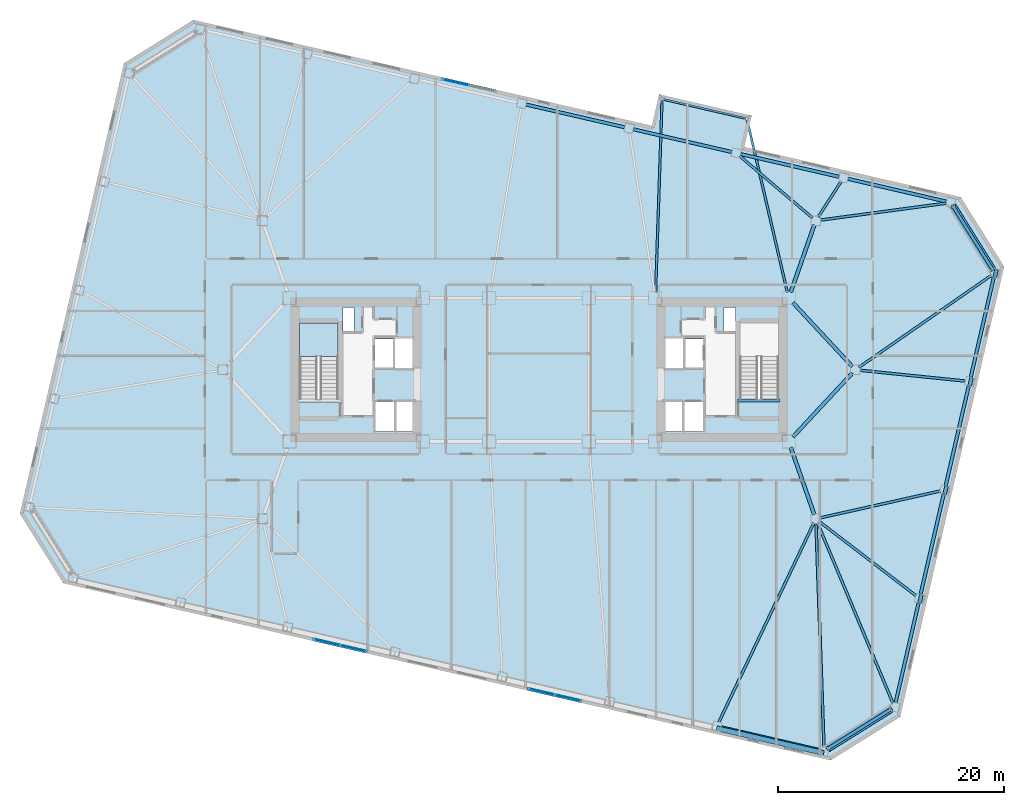
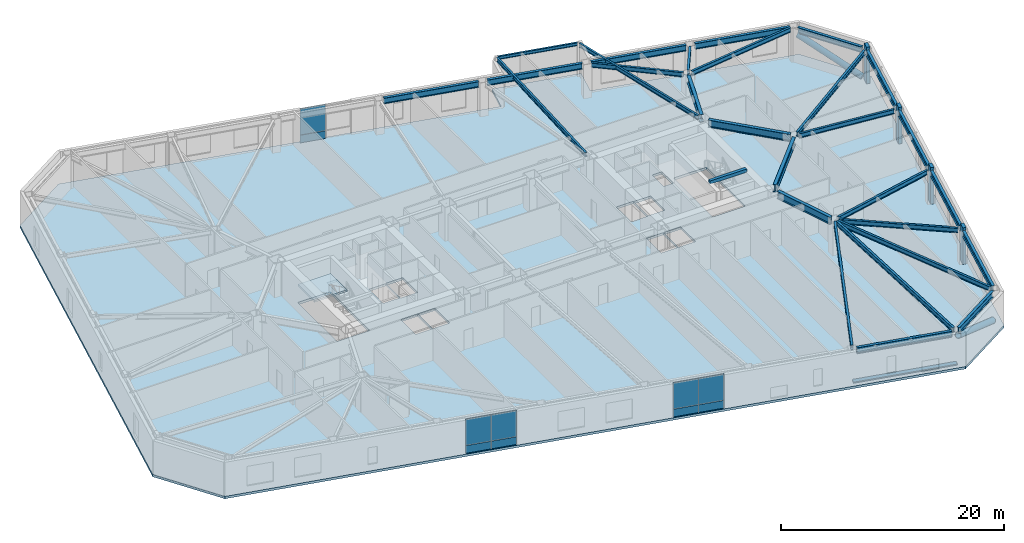
# One storey, part 9 of 21: 29 beams, 10 plates, 7 members, 2 slabs, 4 elements without a shape of their own.
"""IFC4 building model written with IfcOpenShell, lengths in metres."""

import ifcopenshell
import ifcopenshell.guid

model = None  # the IFC model being written
_history = None  # IfcOwnerHistory: only IFC2X3 demands one
_inside = {}  # id of a spatial element -> (the spatial element, [elements in it])
_under = {}  # id of a project, library or spatial element -> (it, [spatial elements below it])
_declared = {}  # id of a project -> (the project, [libraries it declares])
_typed = {}  # id of a type object -> (the type object, [elements of that type])
_made_of = {}  # id of a material, layer set ... -> (it, [elements and type objects made of it])


def new_model(schema):
    """Start an empty IFC model of exactly this schema.

    Asked for "IFC4X3", IfcOpenShell would pick the latest addendum, in which some entities
    have other attributes; the version numbers below select the first issue.
    IFC2X3 requires an IfcOwnerHistory on every rooted entity: one is made here for all.
    """
    global model, _history
    if schema == "IFC4X3":
        model = ifcopenshell.file(schema_version=(4, 3, 0, 0))
    else:
        model = ifcopenshell.file(schema=schema)
    _inside.clear()
    _under.clear()
    _declared.clear()
    _typed.clear()
    _made_of.clear()
    _history = None
    if model.schema == "IFC2X3":
        org = make("IfcOrganization", Name="unknown")
        user = make(
            "IfcPersonAndOrganization",
            ThePerson=make("IfcPerson", FamilyName="unknown"),
            TheOrganization=org,
        )
        app = make(
            "IfcApplication",
            ApplicationDeveloper=org,
            Version="unknown",
            ApplicationFullName="unknown",
            ApplicationIdentifier="unknown",
        )
        _history = make(
            "IfcOwnerHistory",
            OwningUser=user,
            OwningApplication=app,
            ChangeAction="ADDED",
            CreationDate=0,
        )
    return model


def make(cls, **values):
    """One entity of the class cls with the attributes given. An attribute that is None is left unset."""
    return model.create_entity(
        cls, **{name: value for name, value in values.items() if value is not None}
    )


def rooted(cls, **values):
    """An entity with a GlobalId (a new one), such as an element, a storey or a relation."""
    return make(cls, GlobalId=ifcopenshell.guid.new(), OwnerHistory=_history, **values)


def si_unit(unit_type, name, prefix=None):
    """IfcSIUnit, for example si_unit("LENGTHUNIT", "METRE", prefix="MILLI")."""
    return make("IfcSIUnit", UnitType=unit_type, Prefix=prefix, Name=name)


def assignment(units):
    """IfcUnitAssignment: the units of a project."""
    return None if units is None else make("IfcUnitAssignment", Units=units)


def point(xyz):
    """IfcCartesianPoint."""
    return None if xyz is None else make("IfcCartesianPoint", Coordinates=xyz)


def direction(xyz):
    """IfcDirection."""
    return None if xyz is None else make("IfcDirection", DirectionRatios=xyz)


def frame(location, z_axis=None, x_axis=None):
    """IfcAxis2Placement3D, a coordinate frame: its origin and axes. An axis left out is left unset."""
    return make(
        "IfcAxis2Placement3D",
        Location=point(location),
        Axis=direction(z_axis),
        RefDirection=direction(x_axis),
    )


def frame_2d(location, x_axis=None):
    """IfcAxis2Placement2D, a coordinate frame in the plane: its origin and x axis."""
    return make(
        "IfcAxis2Placement2D", Location=point(location), RefDirection=direction(x_axis)
    )


def origin():
    """The frame at (0, 0, 0) with its axes left unset."""
    return frame((0.0, 0.0, 0.0))


def origin_2d():
    """The frame at (0, 0) in the plane with its x axis left unset."""
    return frame_2d((0.0, 0.0))


def place(relative_to, where):
    """IfcLocalPlacement: puts the frame where relative to a parent placement (None: the world)."""
    return make(
        "IfcLocalPlacement", PlacementRelTo=relative_to, RelativePlacement=where
    )


def context(
    kind, dimensions, precision=None, world=None, true_north=None, identifier=None
):
    """IfcGeometricRepresentationContext, for example the 3D "Model" context."""
    return make(
        "IfcGeometricRepresentationContext",
        ContextIdentifier=identifier,
        ContextType=kind,
        CoordinateSpaceDimension=dimensions,
        Precision=precision,
        WorldCoordinateSystem=world,
        TrueNorth=true_north,
    )


def subcontext(parent, identifier, kind, view, scale=None):
    """IfcGeometricRepresentationSubContext, for example "Body" below "Model"."""
    return make(
        "IfcGeometricRepresentationSubContext",
        ContextIdentifier=identifier,
        ContextType=kind,
        ParentContext=parent,
        TargetScale=scale,
        TargetView=view,
    )


def project(units=None, contexts=None):
    """IfcProject with its units and contexts."""
    return rooted(
        "IfcProject",
        Name="project",
        RepresentationContexts=contexts,
        UnitsInContext=assignment(units),
    )


def spatial(cls, under=None, at=None, **own):
    """A site, building, storey or space (cls), placed at a placement, below another one or the project."""
    s = rooted(cls, ObjectPlacement=at, **own)
    if under is not None:
        _under.setdefault(under.id(), (under, []))[1].append(s)
    return s


def polyline(points):
    """IfcPolyline through the points."""
    return make("IfcPolyline", Points=[point(p) for p in points])


def profile(cls, at=None, kind="AREA", **sizes):
    """A parametric profile (cls). Its sizes go by their IFC names, for example OverallWidth=200.0."""
    return make(cls, ProfileType=kind, Position=at, **sizes)


def rectangle(**sizes):
    """IfcRectangleProfileDef."""
    return profile("IfcRectangleProfileDef", **sizes)


def hollow_circle(**sizes):
    """IfcCircleHollowProfileDef."""
    return profile("IfcCircleHollowProfileDef", **sizes)


def i_section(**sizes):
    """IfcIShapeProfileDef."""
    return profile("IfcIShapeProfileDef", **sizes)


def outline(outer, holes=None, kind="AREA"):
    """IfcArbitraryClosedProfileDef: a profile drawn as a closed curve; with holes, ...WithVoids."""
    if holes is None:
        return make("IfcArbitraryClosedProfileDef", ProfileType=kind, OuterCurve=outer)
    return make(
        "IfcArbitraryProfileDefWithVoids",
        ProfileType=kind,
        OuterCurve=outer,
        InnerCurves=holes,
    )


def extrude(swept, where, along, depth):
    """IfcExtrudedAreaSolid: the profile swept, set in the frame where, extruded along a direction by depth."""
    return make(
        "IfcExtrudedAreaSolid",
        SweptArea=swept,
        Position=where,
        ExtrudedDirection=direction(along),
        Depth=depth,
    )


def shape(context_of_items, identifier, shape_type, items):
    """IfcShapeRepresentation: the items that make up one representation, for example the "Body"."""
    return make(
        "IfcShapeRepresentation",
        ContextOfItems=context_of_items,
        RepresentationIdentifier=identifier,
        RepresentationType=shape_type,
        Items=items,
    )


def material(Name=None, Category=None):
    """IfcMaterial."""
    return make("IfcMaterial", Name=Name, Category=Category)


def layer(
    of_material, thickness, ventilated=None, Name=None, Category=None, Priority=None
):
    """IfcMaterialLayer: one layer of a wall or slab, of a material (None: an air gap)."""
    return make(
        "IfcMaterialLayer",
        Material=of_material,
        LayerThickness=thickness,
        IsVentilated=ventilated,
        Name=Name,
        Category=Category,
        Priority=Priority,
    )


def layer_set(layers, Name=None):
    """IfcMaterialLayerSet."""
    return make("IfcMaterialLayerSet", MaterialLayers=layers, LayerSetName=Name)


def material_profile(
    of_material, cross_section, Name=None, Category=None, Priority=None
):
    """IfcMaterialProfile: a cross section and its material."""
    return make(
        "IfcMaterialProfile",
        Name=Name,
        Material=of_material,
        Profile=cross_section,
        Priority=Priority,
        Category=Category,
    )


def profile_set(profiles, Name=None, composite=None):
    """IfcMaterialProfileSet."""
    return make(
        "IfcMaterialProfileSet",
        Name=Name,
        MaterialProfiles=profiles,
        CompositeProfile=composite,
    )


def made_of(thing, what):
    """Note that an element or type object is made of a material, layer set ...; save() writes the relation."""
    if what is not None:
        _made_of.setdefault(what.id(), (what, []))[1].append(thing)
    return thing


def type_object(cls, material=None, **own):
    """A type object (cls), such as IfcWallType, which elements share."""
    return made_of(rooted(cls, **own), material)


def element(
    cls,
    number,
    at=None,
    inside=None,
    cuts=None,
    type_object=None,
    material=None,
    context=None,
    identifier="Body",
    shape_type=None,
    held_by="IfcProductDefinitionShape",
    body=None,
    shapes=None,
    **own,
):
    """One element of the class cls, such as IfcWall. Its Tag is "e" and its number.

    at: its placement. inside: the storey or other place that contains it. cuts: it is an
    opening in that element (IfcRelVoidsElement). A single representation is given by context,
    identifier, shape_type and body (its items); several are given by shapes. held_by: the class
    of the entity that holds the representations. save() writes the other relations.
    """
    e = rooted(cls, Tag="e%d" % number, ObjectPlacement=at, **own)
    if body is not None:
        shapes = [shape(context, identifier, shape_type, body)]
    if shapes is not None:
        e.Representation = make(held_by, Representations=shapes)
    if inside is not None:
        _inside.setdefault(inside.id(), (inside, []))[1].append(e)
    if cuts is not None:
        rooted(
            "IfcRelVoidsElement", RelatingBuildingElement=cuts, RelatedOpeningElement=e
        )
    if type_object is not None:
        _typed.setdefault(type_object.id(), (type_object, []))[1].append(e)
    return made_of(e, material)


def aggregate(whole, parts):
    """IfcRelAggregates: a whole, such as a stair, and the parts it consists of."""
    return rooted("IfcRelAggregates", RelatingObject=whole, RelatedObjects=parts)


def save(model, path):
    """Write the relations noted so far, then the file.

    IfcRelAggregates (storeys below a building ...), IfcRelContainedInSpatialStructure (elements
    in a storey), IfcRelDefinesByType, IfcRelAssociatesMaterial and IfcRelDeclares: one each for
    every whole, place, type object, material and project.
    """
    for whole, parts in _under.values():
        aggregate(whole, parts)
    for where, things in _inside.values():
        rooted(
            "IfcRelContainedInSpatialStructure",
            RelatedElements=things,
            RelatingStructure=where,
        )
    for kind, things in _typed.values():
        rooted("IfcRelDefinesByType", RelatedObjects=things, RelatingType=kind)
    for what, things in _made_of.values():
        rooted("IfcRelAssociatesMaterial", RelatedObjects=things, RelatingMaterial=what)
    for by, libraries in _declared.values():
        rooted("IfcRelDeclares", RelatingContext=by, RelatedDefinitions=libraries)
    model.write(path)


model = new_model("IFC4")

# Units and contexts
model_context = context("Model", 3, precision=1e-05, world=origin(), true_north=direction((0.0, 1.0)))
body_context = subcontext(model_context, "Body", "Model", "MODEL_VIEW")
ifc_project = project(units=[si_unit("LENGTHUNIT", "METRE"), si_unit("AREAUNIT", "SQUARE_METRE"), si_unit("VOLUMEUNIT", "CUBIC_METRE"), si_unit("PLANEANGLEUNIT", "RADIAN"), si_unit("MASSUNIT", "GRAM", prefix="KILO")], contexts=[model_context])

# Site, building, storey
site_placement = place(None, origin())
site = spatial("IfcSite", under=ifc_project, at=site_placement, CompositionType="ELEMENT")
building_placement = place(site_placement, origin())
building = spatial("IfcBuilding", under=site, at=building_placement, Name="Tavrogorsk Clinical Tower", CompositionType="ELEMENT")
storey_placement = place(building_placement, frame((0.0, 0.0, 71.39990234375)))
storey = spatial("IfcBuildingStorey", under=building, at=storey_placement, Name="L15", CompositionType="ELEMENT", Elevation=71.39990234375)

# Members
ifc_material_1 = material(Name="Anodised aluminium alloy AW-6063", Category="aluminium")
ifc_material_profile_1 = material_profile(ifc_material_1, rectangle(XDim=0.449951171875, YDim=0.1201171875, at=origin_2d()), Name="ALU-SUNSHADE-450x120")
ifc_profile_set_1 = profile_set([ifc_material_profile_1], Name="Anodised aluminium alloy AW-6063")
member_type_1 = type_object("IfcMemberType", Name="ChicagoSunshade_450x120", PredefinedType="USERDEFINED", material=ifc_profile_set_1)
member_placement = place(storey_placement, frame((15.700439453125, -31.739013671875, 0.18017578125), z_axis=(0.97437219846, -0.224941812182, 0.0), x_axis=(0.224941812182, 0.97437219846, 0.0)))
element("IfcMember", 1, at=member_placement, inside=storey, type_object=member_type_1, Name="L15 South Aluminium Sunshade S7", ObjectType="SUNSHADE", PredefinedType="USERDEFINED", context=body_context, shape_type="SweptSolid", body=[
    extrude(rectangle(XDim=0.449951171875, YDim=0.1201171875, at=origin_2d()), origin(), (0.0, 0.0, 1.0), 9.74853515625),
])
ifc_material_2 = material(Name="Structural steel S440", Category="steel")
ifc_material_profile_2 = material_profile(ifc_material_2, hollow_circle(Radius=0.304931640625, WallThickness=0.02490234375, at=origin_2d()), Name="CHS-610x25")
ifc_profile_set_2 = profile_set([ifc_material_profile_2], Name="Structural steel S440")
member_type_2 = type_object("IfcMemberType", Name="ExoBrace_CHS610", PredefinedType="BRACE", material=ifc_profile_set_2)
for number, where, z_axis, x_axis, name in (
    (2, (31.15185546875, -30.062255859375, 0.442626953125), (-0.794678685861, -0.496570017703, 0.349147538667), (0.529919005048, -0.848048258113, 0.0), "L15 Corner Exoskeleton Brace S8-E1"),
    (3, (40.145751953125, 8.893798828125, 0.442626953125), (-0.496596175948, 0.794664984625, 0.349141518935), (-0.848031606927, -0.529945651603, 0.0), "L15 Corner Exoskeleton Brace E5-N1"),
):
    element("IfcMember", number, at=place(storey_placement, frame(where, z_axis=z_axis, x_axis=x_axis)), inside=storey, type_object=member_type_2, Name=name, PredefinedType="BRACE", context=body_context, shape_type="SweptSolid", body=[
        extrude(hollow_circle(Radius=0.304931640625, WallThickness=0.02490234375, at=origin_2d()), origin(), (0.0, 0.0, 1.0), 7.03173828125),
    ])

# Beams
ifc_material_3 = material(Name="Structural steel S355", Category="steel")
ifc_material_profile_3 = material_profile(ifc_material_3, i_section(OverallWidth=0.199951171875, OverallDepth=0.449951171875, WebThickness=0.011474609375, FlangeThickness=0.01806640625, at=origin_2d()), Name="B-450x200x11.5x18")
ifc_profile_set_3 = profile_set([ifc_material_profile_3], Name="Structural steel S355")
beam_type_1 = type_object("IfcBeamType", Name="FloorBeam_B450", PredefinedType="BEAM", material=ifc_profile_set_3)
beam_1_placement = place(storey_placement, frame((10.318603515625, 6.90966796875, 3.51513671875), z_axis=(0.033352279272, 0.999443657975, 0.0), x_axis=(-0.999443657975, 0.033352279272, 0.0)))
element("IfcBeam", 4, at=beam_1_placement, inside=storey, type_object=beam_type_1, Name="L15 Day-Room Cantilever Beam DRB-02-L", PredefinedType="BEAM", context=body_context, shape_type="SweptSolid", body=[
    extrude(i_section(OverallWidth=0.199951171875, OverallDepth=0.449951171875, WebThickness=0.011474609375, FlangeThickness=0.01806640625, at=origin_2d()), origin(), (0.0, 0.0, 1.0), 16.931396484375),
])
beam_2_placement = place(storey_placement, frame((21.97265625, 6.895263671875, 3.51513671875), z_axis=(-0.227339821684, 0.973815488415, 0.0), x_axis=(-0.973815488415, -0.227339821684, 0.0)))
element("IfcBeam", 5, at=beam_2_placement, inside=storey, type_object=beam_type_1, Name="L15 Day-Room Cantilever Beam DRB-02-R", PredefinedType="BEAM", context=body_context, shape_type="SweptSolid", body=[
    extrude(i_section(OverallWidth=0.199951171875, OverallDepth=0.449951171875, WebThickness=0.011474609375, FlangeThickness=0.01806640625, at=origin_2d()), origin(), (0.0, 0.0, 1.0), 15.61669921875),
])
ifc_material_4 = material(Name="Structural steel S355", Category="steel")
ifc_material_profile_4 = material_profile(ifc_material_4, i_section(OverallWidth=0.219970703125, OverallDepth=0.5, WebThickness=0.012939453125, FlangeThickness=0.02001953125, at=origin_2d()), Name="B-500x220x13x20")
ifc_profile_set_4 = profile_set([ifc_material_profile_4], Name="Structural steel S355")
beam_type_2 = type_object("IfcBeamType", Name="FloorBeam_B500", PredefinedType="BEAM", material=ifc_profile_set_4)
beam_3_placement = place(storey_placement, frame((24.323486328125, -13.570068359375, 3.489990234375), z_axis=(-0.430503237889, -0.90258903282, 0.0), x_axis=(0.90258903282, -0.430503237889, 0.0)))
element("IfcBeam", 6, at=beam_3_placement, inside=storey, type_object=beam_type_2, Name="L15 Radial Floor Beam S7", PredefinedType="BEAM", context=body_context, shape_type="SweptSolid", body=[
    extrude(i_section(OverallWidth=0.219970703125, OverallDepth=0.5, WebThickness=0.012939453125, FlangeThickness=0.02001953125, at=origin_2d()), origin(), (0.0, 0.0, 1.0), 19.527587890625),
])
beam_4_placement = place(storey_placement, frame((24.5146484375, -13.609619140625, 3.489990234375), z_axis=(0.035968399295, -0.999352927775, 0.0), x_axis=(0.999352927775, 0.035968399295, 0.0)))
element("IfcBeam", 7, at=beam_4_placement, inside=storey, type_object=beam_type_2, Name="L15 Radial Floor Beam S8", PredefinedType="BEAM", context=body_context, shape_type="SweptSolid", body=[
    extrude(i_section(OverallWidth=0.219970703125, OverallDepth=0.5, WebThickness=0.012939453125, FlangeThickness=0.02001953125, at=origin_2d()), origin(), (0.0, 0.0, 1.0), 19.751953125),
])
beam_5_placement = place(storey_placement, frame((24.90625, 13.254638671875, 3.489990234375), z_axis=(0.991091561022, 0.133182272357, 0.0), x_axis=(-0.133182272357, 0.991091561022, 0.0)))
element("IfcBeam", 8, at=beam_5_placement, inside=storey, type_object=beam_type_2, Name="L15 Radial Floor Beam N1", PredefinedType="BEAM", context=body_context, shape_type="SweptSolid", body=[
    extrude(i_section(OverallWidth=0.219970703125, OverallDepth=0.5, WebThickness=0.012939453125, FlangeThickness=0.02001953125, at=origin_2d()), origin(), (0.0, 0.0, 1.0), 11.24072265625),
])
beam_6_placement = place(storey_placement, frame((24.722412109375, 13.54443359375, 3.489990234375), z_axis=(0.54237908978, 0.840133872052, 0.0), x_axis=(-0.840133872052, 0.54237908978, 0.0)))
element("IfcBeam", 9, at=beam_6_placement, inside=storey, type_object=beam_type_2, Name="L15 Radial Floor Beam N2", PredefinedType="BEAM", context=body_context, shape_type="SweptSolid", body=[
    extrude(i_section(OverallWidth=0.219970703125, OverallDepth=0.5, WebThickness=0.012939453125, FlangeThickness=0.02001953125, at=origin_2d()), origin(), (0.0, 0.0, 1.0), 3.70361328125),
])
beam_7_placement = place(storey_placement, frame((24.187744140625, 13.465576171875, 3.489990234375), z_axis=(-0.761805700094, 0.647805584496, 0.0), x_axis=(-0.647805584496, -0.761805700094, 0.0)))
element("IfcBeam", 10, at=beam_7_placement, inside=storey, type_object=beam_type_2, Name="L15 Radial Floor Beam N3", PredefinedType="BEAM", context=body_context, shape_type="SweptSolid", body=[
    extrude(i_section(OverallWidth=0.219970703125, OverallDepth=0.5, WebThickness=0.012939453125, FlangeThickness=0.02001953125, at=origin_2d()), origin(), (0.0, 0.0, 1.0), 8.431396484375),
])
beam_8_placement = place(storey_placement, frame((24.658447265625, -13.578125, 3.489990234375), z_axis=(0.386243430459, -0.922396884441, 0.0), x_axis=(0.922396884441, 0.386243430459, 0.0)))
element("IfcBeam", 11, at=beam_8_placement, inside=storey, type_object=beam_type_2, Name="L15 Radial Floor Beam E1", PredefinedType="BEAM", context=body_context, shape_type="SweptSolid", body=[
    extrude(i_section(OverallWidth=0.219970703125, OverallDepth=0.5, WebThickness=0.012939453125, FlangeThickness=0.02001953125, at=origin_2d()), origin(), (0.0, 0.0, 1.0), 17.243408203125),
])
beam_9_placement = place(storey_placement, frame((24.825439453125, -13.449462890625, 3.489990234375), z_axis=(0.7934457884, -0.608640929342, 0.0), x_axis=(0.608640929342, 0.7934457884, 0.0)))
element("IfcBeam", 12, at=beam_9_placement, inside=storey, type_object=beam_type_2, Name="L15 Radial Floor Beam E2", PredefinedType="BEAM", context=body_context, shape_type="SweptSolid", body=[
    extrude(i_section(OverallWidth=0.219970703125, OverallDepth=0.5, WebThickness=0.012939453125, FlangeThickness=0.02001953125, at=origin_2d()), origin(), (0.0, 0.0, 1.0), 10.769287109375),
])
beam_10_placement = place(storey_placement, frame((24.900146484375, -13.1103515625, 3.489990234375), z_axis=(0.975844140255, 0.218467878484, 0.0), x_axis=(-0.218467878484, 0.975844140255, 0.0)))
element("IfcBeam", 13, at=beam_10_placement, inside=storey, type_object=beam_type_2, Name="L15 Radial Floor Beam E3", PredefinedType="BEAM", context=body_context, shape_type="SweptSolid", body=[
    extrude(i_section(OverallWidth=0.219970703125, OverallDepth=0.5, WebThickness=0.012939453125, FlangeThickness=0.02001953125, at=origin_2d()), origin(), (0.0, 0.0, 1.0), 10.876708984375),
])
beam_11_placement = place(storey_placement, frame((28.407958984375, -0.041748046875, 3.489990234375), z_axis=(0.994791610226, -0.101929643501, 0.0), x_axis=(0.101929643501, 0.994791610226, 0.0)))
element("IfcBeam", 14, at=beam_11_placement, inside=storey, type_object=beam_type_2, Name="L15 Radial Floor Beam E4", PredefinedType="BEAM", context=body_context, shape_type="SweptSolid", body=[
    extrude(i_section(OverallWidth=0.219970703125, OverallDepth=0.5, WebThickness=0.012939453125, FlangeThickness=0.02001953125, at=origin_2d()), origin(), (0.0, 0.0, 1.0), 9.365234375),
])
beam_12_placement = place(storey_placement, frame((28.3369140625, 0.233642578125, 3.489990234375), z_axis=(0.82154295725, 0.570146620961, 0.0), x_axis=(-0.570146620961, 0.82154295725, 0.0)))
element("IfcBeam", 15, at=beam_12_placement, inside=storey, type_object=beam_type_2, Name="L15 Radial Floor Beam E5", PredefinedType="BEAM", context=body_context, shape_type="SweptSolid", body=[
    extrude(i_section(OverallWidth=0.219970703125, OverallDepth=0.5, WebThickness=0.012939453125, FlangeThickness=0.02001953125, at=origin_2d()), origin(), (0.0, 0.0, 1.0), 14.212646484375),
])

# Members
ifc_material_5 = material(Name="Precast concrete B45 with limestone cladding", Category="masonry")
ifc_material_profile_5 = material_profile(ifc_material_5, rectangle(XDim=0.320068359375, YDim=0.719970703125, at=origin_2d()), Name="LIMESTONE-FIN-320x720")
ifc_profile_set_5 = profile_set([ifc_material_profile_5], Name="Precast concrete B45 with limestone cladding")
member_type_3 = type_object("IfcMemberType", Name="LimestonePleatFin_320x720", PredefinedType="USERDEFINED", material=ifc_profile_set_5)
for number, where, z_axis, x_axis, name in (
    (16, (33.772216796875, -20.2705078125, 0.0), (0.0, 0.0, 1.0), (0.974370064785, -0.224951054344, 0.0), "L15 E Pleated Stone Fin 1"),
    (17, (35.990234375, -10.6630859375, 0.0), (0.0, 0.0, 1.0), (0.974370064785, -0.224951054344, 0.0), "L15 E Pleated Stone Fin 2"),
    (18, (38.208251953125, -1.055908203125, 0.0), (0.0, 0.0, 1.0), (0.974370064785, -0.224951054344, 0.0), "L15 E Pleated Stone Fin 3"),
    (19, (40.42626953125, 8.551513671875, 0.0), (0.0, 0.0, 1.0), (0.974370064785, -0.224951054344, 0.0), "L15 E Pleated Stone Fin 4"),
):
    element("IfcMember", number, at=place(storey_placement, frame(where, z_axis=z_axis, x_axis=x_axis)), inside=storey, type_object=member_type_3, Name=name, ObjectType="FIN", PredefinedType="USERDEFINED", context=body_context, shape_type="SweptSolid", body=[
        extrude(rectangle(XDim=0.320068359375, YDim=0.719970703125, at=origin_2d()), origin(), (0.0, 0.0, 1.0), 4.0),
    ])

# Beams
ifc_material_6 = material(Name="Structural steel S390", Category="steel")
ifc_material_profile_6 = material_profile(ifc_material_6, i_section(OverallWidth=0.320068359375, OverallDepth=0.800048828125, WebThickness=0.02001953125, FlangeThickness=0.033935546875, at=origin_2d()), Name="B-800x320x20x34")
ifc_profile_set_6 = profile_set([ifc_material_profile_6], Name="Structural steel S390")
beam_type_3 = type_object("IfcBeamType", Name="PrimaryGirder_B800", PredefinedType="USERDEFINED", material=ifc_profile_set_6)
for number, where, z_axis, x_axis, name in (
    (20, (24.364501953125, -12.81298828125, 3.340087890625), (-0.330668611543, 0.943746930771, 0.0), (-0.943746930771, -0.330668611543, 0.0), "L15 Spine Link Girder OPG-2"),
    (21, (24.364501953125, 12.81298828125, 3.340087890625), (-0.330668611543, -0.943746930771, 0.0), (0.943746930771, -0.330668611543, 0.0), "L15 Spine Link Girder OPG-4"),
):
    element("IfcBeam", number, at=place(storey_placement, frame(where, z_axis=z_axis, x_axis=x_axis)), inside=storey, type_object=beam_type_3, Name=name, ObjectType="GIRDER", PredefinedType="USERDEFINED", context=body_context, shape_type="SweptSolid", body=[
        extrude(i_section(OverallWidth=0.320068359375, OverallDepth=0.800048828125, WebThickness=0.02001953125, FlangeThickness=0.033935546875, at=origin_2d()), origin(), (0.0, 0.0, 1.0), 6.288330078125),
    ])
for number, where, z_axis, x_axis, name in (
    (22, (27.720947265625, -0.30029296875, 3.340087890625), (-0.680671250221, -0.732589004233, 0.0), (0.732589004233, -0.680671250221, 0.0), "L15 Spine Link Girder OPG-7"),
    (23, (27.720947265625, 0.30029296875, 3.340087890625), (-0.680671250221, 0.732589004233, 0.0), (-0.732589004233, -0.680671250221, 0.0), "L15 Spine Link Girder OPG-8"),
):
    element("IfcBeam", number, at=place(storey_placement, frame(where, z_axis=z_axis, x_axis=x_axis)), inside=storey, type_object=beam_type_3, Name=name, ObjectType="GIRDER", PredefinedType="USERDEFINED", context=body_context, shape_type="SweptSolid", body=[
        extrude(i_section(OverallWidth=0.320068359375, OverallDepth=0.800048828125, WebThickness=0.02001953125, FlangeThickness=0.033935546875, at=origin_2d()), origin(), (0.0, 0.0, 1.0), 7.697998046875),
    ])
ifc_material_7 = material(Name="Structural steel S355", Category="steel")
ifc_material_profile_7 = material_profile(ifc_material_7, i_section(OverallWidth=0.175048828125, OverallDepth=0.35009765625, WebThickness=0.009521484375, FlangeThickness=0.013916015625, at=origin_2d()), Name="B-350x175x9.5x14")
ifc_profile_set_7 = profile_set([ifc_material_profile_7], Name="Structural steel S355")
beam_type_4 = type_object("IfcBeamType", Name="SecondaryJoist_B350", PredefinedType="JOIST", material=ifc_profile_set_7)
beam_13_placement = place(storey_placement, frame((11.0048828125, 23.9443359375, 3.565185546875), z_axis=(0.974374645804, -0.224931210849, 0.0), x_axis=(0.224931210849, 0.974374645804, 0.0)))
element("IfcBeam", 24, at=beam_13_placement, inside=storey, type_object=beam_type_4, Name="L15 Day-Room Front Edge Beam DRB-02", PredefinedType="JOIST", context=body_context, shape_type="SweptSolid", body=[
    extrude(i_section(OverallWidth=0.175048828125, OverallDepth=0.35009765625, WebThickness=0.009521484375, FlangeThickness=0.013916015625, at=origin_2d()), origin(), (0.0, 0.0, 1.0), 7.4599609375),
])
ifc_material_8 = material(Name="Structural steel S390", Category="steel")
ifc_material_profile_8 = material_profile(ifc_material_8, i_section(OverallWidth=0.280029296875, OverallDepth=0.64990234375, WebThickness=0.01611328125, FlangeThickness=0.02490234375, at=origin_2d()), Name="B-650x280x16x25")
ifc_profile_set_8 = profile_set([ifc_material_profile_8], Name="Structural steel S390")
beam_type_5 = type_object("IfcBeamType", Name="SpandrelBeam_B650", PredefinedType="SPANDREL", material=ifc_profile_set_8)
beam_14_placement = place(storey_placement, frame((16.138427734375, -31.655517578125, 3.4150390625), z_axis=(0.974372766602, -0.224939351168, 0.0), x_axis=(0.224939351168, 0.974372766602, 0.0)))
element("IfcBeam", 25, at=beam_14_placement, inside=storey, type_object=beam_type_5, Name="L15 Perimeter Spandrel S7-S8", PredefinedType="SPANDREL", context=body_context, shape_type="SweptSolid", body=[
    extrude(i_section(OverallWidth=0.280029296875, OverallDepth=0.64990234375, WebThickness=0.01611328125, FlangeThickness=0.02490234375, at=origin_2d()), origin(), (0.0, 0.0, 1.0), 8.9326171875),
])
beam_15_placement = place(storey_placement, frame((25.585693359375, -33.540283203125, 3.4150390625), z_axis=(0.848061235793, 0.529898235839, 0.0), x_axis=(-0.529898235839, 0.848061235793, 0.0)))
element("IfcBeam", 26, at=beam_15_placement, inside=storey, type_object=beam_type_5, Name="L15 Perimeter Spandrel S8-E1", PredefinedType="SPANDREL", context=body_context, shape_type="SweptSolid", body=[
    extrude(i_section(OverallWidth=0.280029296875, OverallDepth=0.64990234375, WebThickness=0.01611328125, FlangeThickness=0.02490234375, at=origin_2d()), origin(), (0.0, 0.0, 1.0), 6.537841796875),
])
beam_16_placement = place(storey_placement, frame((31.56787109375, -29.462158203125, 3.4150390625), z_axis=(0.224971881043, 0.974365256328, 0.0), x_axis=(-0.974365256328, 0.224971881043, 0.0)))
element("IfcBeam", 27, at=beam_16_placement, inside=storey, type_object=beam_type_5, Name="L15 Perimeter Spandrel E1-E2", PredefinedType="SPANDREL", context=body_context, shape_type="SweptSolid", body=[
    extrude(i_section(OverallWidth=0.280029296875, OverallDepth=0.64990234375, WebThickness=0.01611328125, FlangeThickness=0.02490234375, at=origin_2d()), origin(), (0.0, 0.0, 1.0), 9.044189453125),
])
for number, where, z_axis, x_axis, name in (
    (28, (33.785888671875, -19.85498046875, 3.4150390625), (0.224946252597, 0.974371173343, 0.0), (-0.974371173343, 0.224946252597, 0.0), "L15 Perimeter Spandrel E2-E3"),
    (29, (36.00390625, -10.24755859375, 3.4150390625), (0.224946252597, 0.974371173343, 0.0), (-0.974371173343, 0.224946252597, 0.0), "L15 Perimeter Spandrel E3-E4"),
):
    element("IfcBeam", number, at=place(storey_placement, frame(where, z_axis=z_axis, x_axis=x_axis)), inside=storey, type_object=beam_type_5, Name=name, PredefinedType="SPANDREL", context=body_context, shape_type="SweptSolid", body=[
        extrude(i_section(OverallWidth=0.280029296875, OverallDepth=0.64990234375, WebThickness=0.01611328125, FlangeThickness=0.02490234375, at=origin_2d()), origin(), (0.0, 0.0, 1.0), 9.0439453125),
    ])
beam_17_placement = place(storey_placement, frame((38.221923828125, -0.640380859375, 3.4150390625), z_axis=(0.224971881043, 0.974365256328, 0.0), x_axis=(-0.974365256328, 0.224971881043, 0.0)))
element("IfcBeam", 30, at=beam_17_placement, inside=storey, type_object=beam_type_5, Name="L15 Perimeter Spandrel E4-E5", PredefinedType="SPANDREL", context=body_context, shape_type="SweptSolid", body=[
    extrude(i_section(OverallWidth=0.280029296875, OverallDepth=0.64990234375, WebThickness=0.01611328125, FlangeThickness=0.02490234375, at=origin_2d()), origin(), (0.0, 0.0, 1.0), 9.044189453125),
])
beam_18_placement = place(storey_placement, frame((40.132080078125, 8.91552734375, 3.4150390625), z_axis=(-0.529925092475, 0.848044454239, 0.0), x_axis=(-0.848044454239, -0.529925092475, 0.0)))
element("IfcBeam", 31, at=beam_18_placement, inside=storey, type_object=beam_type_5, Name="L15 Perimeter Spandrel E5-N1", PredefinedType="SPANDREL", context=body_context, shape_type="SweptSolid", body=[
    extrude(i_section(OverallWidth=0.280029296875, OverallDepth=0.64990234375, WebThickness=0.01611328125, FlangeThickness=0.02490234375, at=origin_2d()), origin(), (0.0, 0.0, 1.0), 6.537841796875),
])
for number, where, z_axis, x_axis, name in (
    (32, (36.0537109375, 14.897705078125, 3.4150390625), (-0.974366775889, 0.224965299645, 0.0), (-0.224965299645, -0.974366775889, 0.0), "L15 Perimeter Spandrel N1-N2"),
    (33, (26.554931640625, 17.090576171875, 3.4150390625), (-0.974366775889, 0.224965299645, 0.0), (-0.224965299645, -0.974366775889, 0.0), "L15 Perimeter Spandrel N2-N3"),
    (34, (17.056396484375, 19.28369140625, 3.4150390625), (-0.974372766602, 0.224939351168, 0.0), (-0.224939351168, -0.974372766602, 0.0), "L15 Perimeter Spandrel N3-N4"),
    (35, (7.5576171875, 21.4765625, 3.4150390625), (-0.974366775889, 0.224965299645, 0.0), (-0.224965299645, -0.974366775889, 0.0), "L15 Perimeter Spandrel N4-N5"),
):
    element("IfcBeam", number, at=place(storey_placement, frame(where, z_axis=z_axis, x_axis=x_axis)), inside=storey, type_object=beam_type_5, Name=name, PredefinedType="SPANDREL", context=body_context, shape_type="SweptSolid", body=[
        extrude(i_section(OverallWidth=0.280029296875, OverallDepth=0.64990234375, WebThickness=0.01611328125, FlangeThickness=0.02490234375, at=origin_2d()), origin(), (0.0, 0.0, 1.0), 8.9326171875),
    ])
ifc_material_9 = material(Name="Concrete B60", Category="concrete")
ifc_material_profile_9 = material_profile(ifc_material_9, rectangle(XDim=0.300048828125, YDim=0.35009765625, at=origin_2d()), Name="RC-SHB-300x350")
ifc_profile_set_9 = profile_set([ifc_material_profile_9], Name="Concrete B60")
beam_type_6 = type_object("IfcBeamType", Name="StairHeaderBeam_RC300x350", PredefinedType="BEAM", material=ifc_profile_set_9)
beam_19_placement = place(storey_placement, frame((17.550048828125, -2.719970703125, 3.8251953125), z_axis=(1.0, 0.0, 0.0), x_axis=(0.0, 1.0, 0.0)))
element("IfcBeam", 36, at=beam_19_placement, inside=storey, type_object=beam_type_6, Name="L16 ST-E Landing Header Beam", PredefinedType="BEAM", context=body_context, shape_type="SweptSolid", body=[
    extrude(rectangle(XDim=0.300048828125, YDim=0.35009765625, at=origin_2d()), origin(), (0.0, 0.0, 1.0), 3.800048828125),
])

# Curtain wall, plates
ifc_material_10 = material(Name="Anodised aluminium and triple IGU glazing", Category="aluminium")
ifc_layer_1 = layer(ifc_material_10, 0.179931640625)
ifc_layer_set_1 = layer_set([ifc_layer_1], Name="Anodised aluminium and triple IGU glazing")
curtain_wall_type_1 = type_object("IfcCurtainWallType", Name="CW3_SouthSlot", PredefinedType="NOTDEFINED", material=ifc_layer_set_1)
curtain_wall_1_placement = place(storey_placement, origin())
curtain_wall_1 = element("IfcCurtainWall", 37, at=curtain_wall_1_placement, inside=storey, type_object=curtain_wall_type_1, Name="L15 Curtain Wall CW-L15-S-SLOT-1", PredefinedType="NOTDEFINED")
ifc_material_11 = material(Name="Honed Podolsk limestone spandrel panel", Category="masonry")
ifc_layer_2 = layer(ifc_material_11, 0.080078125)
ifc_layer_set_2 = layer_set([ifc_layer_2], Name="Honed Podolsk limestone spandrel panel")
plate_type_1 = type_object("IfcPlateType", Name="CwSpandrelStonePanel_80", PredefinedType="CURTAIN_PANEL", material=ifc_layer_set_2)
plate_1_placement = place(storey_placement, frame((-18.79638671875, -24.113525390625, 0.002197265625), z_axis=(0.0, 0.0, 1.0), x_axis=(0.974370046851, -0.224951132027, 0.0)))
plate_1 = element("IfcPlate", 38, at=plate_1_placement, type_object=plate_type_1, Name="CW-L15-S-SLOT-1 Stone Spandrel Panel 1", PredefinedType="CURTAIN_PANEL", context=body_context, shape_type="SweptSolid", body=[
    extrude(rectangle(XDim=2.39208984375, YDim=0.080078125, at=origin_2d()), origin(), (0.0, 0.0, 1.0), 0.8359375),
])
plate_2_placement = place(storey_placement, frame((-16.442138671875, -24.656982421875, 0.002197265625), z_axis=(0.0, 0.0, 1.0), x_axis=(0.974370046851, -0.224951132027, 0.0)))
plate_2 = element("IfcPlate", 39, at=plate_2_placement, type_object=plate_type_1, Name="CW-L15-S-SLOT-1 Stone Spandrel Panel 2", PredefinedType="CURTAIN_PANEL", context=body_context, shape_type="SweptSolid", body=[
    extrude(rectangle(XDim=2.39208984375, YDim=0.080078125, at=origin_2d()), origin(), (0.0, 0.0, 1.0), 0.8359375),
])

curtain_wall_2_placement = place(storey_placement, origin())
curtain_wall_2 = element("IfcCurtainWall", 40, at=curtain_wall_2_placement, inside=storey, type_object=curtain_wall_type_1, Name="L15 Curtain Wall CW-L15-S-SLOT-2", PredefinedType="NOTDEFINED")
plate_3_placement = place(storey_placement, frame((0.201171875, -28.49951171875, 0.002197265625), z_axis=(0.0, 0.0, 1.0), x_axis=(0.974370102963, -0.224950888978, 0.0)))
plate_3 = element("IfcPlate", 41, at=plate_3_placement, type_object=plate_type_1, Name="CW-L15-S-SLOT-2 Stone Spandrel Panel 1", PredefinedType="CURTAIN_PANEL", context=body_context, shape_type="SweptSolid", body=[
    extrude(rectangle(XDim=2.39208984375, YDim=0.080078125, at=origin_2d()), origin(), (0.0, 0.0, 1.0), 0.8359375),
])
plate_4_placement = place(storey_placement, frame((2.55517578125, -29.04296875, 0.002197265625), z_axis=(0.0, 0.0, 1.0), x_axis=(0.974370102963, -0.224950888978, 0.0)))
plate_4 = element("IfcPlate", 42, at=plate_4_placement, type_object=plate_type_1, Name="CW-L15-S-SLOT-2 Stone Spandrel Panel 2", PredefinedType="CURTAIN_PANEL", context=body_context, shape_type="SweptSolid", body=[
    extrude(rectangle(XDim=2.39208984375, YDim=0.080078125, at=origin_2d()), origin(), (0.0, 0.0, 1.0), 0.8359375),
])

# Curtain wall, plate
ifc_material_12 = material(Name="Anodised aluminium and triple IGU glazing", Category="aluminium")
ifc_layer_3 = layer(ifc_material_12, 0.179931640625)
ifc_layer_set_3 = layer_set([ifc_layer_3], Name="Anodised aluminium and triple IGU glazing")
curtain_wall_type_2 = type_object("IfcCurtainWallType", Name="CW2_NorthSlot", PredefinedType="NOTDEFINED", material=ifc_layer_set_3)
curtain_wall_3_placement = place(storey_placement, origin())
curtain_wall_3 = element("IfcCurtainWall", 43, at=curtain_wall_3_placement, inside=storey, type_object=curtain_wall_type_2, Name="L15 Curtain Wall CW-L15-N-SLOT-1", PredefinedType="NOTDEFINED")
plate_5_placement = place(storey_placement, frame((-7.355224609375, 25.44287109375, 0.002197265625), z_axis=(0.0, 0.0, 1.0), x_axis=(-0.974370102963, 0.224950888978, 0.0)))
plate_5 = element("IfcPlate", 44, at=plate_5_placement, type_object=plate_type_1, Name="CW-L15-N-SLOT-1 Stone Spandrel Panel 2", PredefinedType="CURTAIN_PANEL", context=body_context, shape_type="SweptSolid", body=[
    extrude(rectangle(XDim=2.39208984375, YDim=0.080078125, at=origin_2d()), origin(), (0.0, 0.0, 1.0), 0.8359375),
])

# Plate
ifc_material_13 = material(Name="Triple low-E argon insulated glass", Category="glass")
ifc_layer_4 = layer(ifc_material_13, 0.048095703125)
ifc_layer_set_4 = layer_set([ifc_layer_4], Name="Triple low-E argon insulated glass")
plate_type_2 = type_object("IfcPlateType", Name="CwVisionGlassPanel_48", PredefinedType="CURTAIN_PANEL", material=ifc_layer_set_4)
plate_6_placement = place(storey_placement, frame((-18.79638671875, -24.113525390625, 0.862060546875), z_axis=(0.0, 0.0, 1.0), x_axis=(0.974370046851, -0.224951132027, 0.0)))
plate_6 = element("IfcPlate", 45, at=plate_6_placement, type_object=plate_type_2, Name="CW-L15-S-SLOT-1 Glazing Panel 1", PredefinedType="CURTAIN_PANEL", context=body_context, shape_type="SweptSolid", body=[
    extrude(rectangle(XDim=2.39208984375, YDim=0.048095703125, at=origin_2d()), origin(), (0.0, 0.0, 1.0), 2.8759765625),
])

plate_7_placement = place(storey_placement, frame((-16.442138671875, -24.656982421875, 0.862060546875), z_axis=(0.0, 0.0, 1.0), x_axis=(0.974370046851, -0.224951132027, 0.0)))
plate_7 = element("IfcPlate", 46, at=plate_7_placement, type_object=plate_type_2, Name="CW-L15-S-SLOT-1 Glazing Panel 2", PredefinedType="CURTAIN_PANEL", context=body_context, shape_type="SweptSolid", body=[
    extrude(rectangle(XDim=2.39208984375, YDim=0.048095703125, at=origin_2d()), origin(), (0.0, 0.0, 1.0), 2.8759765625),
])

aggregate(curtain_wall_1, [plate_1, plate_6, plate_2, plate_7])

plate_8_placement = place(storey_placement, frame((0.201171875, -28.49951171875, 0.862060546875), z_axis=(0.0, 0.0, 1.0), x_axis=(0.974370102963, -0.224950888978, 0.0)))
plate_8 = element("IfcPlate", 47, at=plate_8_placement, type_object=plate_type_2, Name="CW-L15-S-SLOT-2 Glazing Panel 1", PredefinedType="CURTAIN_PANEL", context=body_context, shape_type="SweptSolid", body=[
    extrude(rectangle(XDim=2.39208984375, YDim=0.048095703125, at=origin_2d()), origin(), (0.0, 0.0, 1.0), 2.8759765625),
])

plate_9_placement = place(storey_placement, frame((2.55517578125, -29.04296875, 0.862060546875), z_axis=(0.0, 0.0, 1.0), x_axis=(0.974370102963, -0.224950888978, 0.0)))
plate_9 = element("IfcPlate", 48, at=plate_9_placement, type_object=plate_type_2, Name="CW-L15-S-SLOT-2 Glazing Panel 2", PredefinedType="CURTAIN_PANEL", context=body_context, shape_type="SweptSolid", body=[
    extrude(rectangle(XDim=2.39208984375, YDim=0.048095703125, at=origin_2d()), origin(), (0.0, 0.0, 1.0), 2.8759765625),
])

aggregate(curtain_wall_2, [plate_3, plate_8, plate_4, plate_9])

plate_10_placement = place(storey_placement, frame((-7.355224609375, 25.44287109375, 0.862060546875), z_axis=(0.0, 0.0, 1.0), x_axis=(-0.974370102963, 0.224950888978, 0.0)))
plate_10 = element("IfcPlate", 49, at=plate_10_placement, type_object=plate_type_2, Name="CW-L15-N-SLOT-1 Glazing Panel 2", PredefinedType="CURTAIN_PANEL", context=body_context, shape_type="SweptSolid", body=[
    extrude(rectangle(XDim=2.39208984375, YDim=0.048095703125, at=origin_2d()), origin(), (0.0, 0.0, 1.0), 2.8759765625),
])

aggregate(curtain_wall_3, [plate_5, plate_10])

# Stair, slab
ifc_material_14 = material(Name="Concrete B60", Category="concrete")
stair_type = type_object("IfcStairType", Name="CoreStairAssembly", PredefinedType="HALF_TURN_STAIR", material=ifc_material_14)
stair_placement = place(storey_placement, origin())
stair = element("IfcStair", 50, at=stair_placement, inside=storey, type_object=stair_type, Name="L15 ST-W", PredefinedType="HALF_TURN_STAIR")
ifc_material_15 = material(Name="Concrete B60", Category="concrete")
ifc_layer_5 = layer(ifc_material_15, 0.199951171875)
ifc_layer_set_5 = layer_set([ifc_layer_5], Name="Concrete B60")
slab_type_1 = type_object("IfcSlabType", Name="StairLanding_200", PredefinedType="LANDING", material=ifc_layer_set_5)
slab_1_placement = place(storey_placement, frame((0.0, 0.0, 1.800048828125)))
slab_1 = element("IfcSlab", 51, at=slab_1_placement, type_object=slab_type_1, Name="ST-W landing 1", PredefinedType="LANDING", context=body_context, shape_type="SweptSolid", body=[
    extrude(outline(polyline([(-17.800048828125, 1.1650390625), (-17.800048828125, 4.125), (-21.199951171875, 4.125), (-21.199951171875, 1.1650390625), (-17.800048828125, 1.1650390625)])), origin(), (0.0, 0.0, 1.0), 0.199951171875),
])
aggregate(stair, [slab_1])

# Slab
ifc_material_16 = material(Name="Concrete B60", Category="concrete")
ifc_layer_6 = layer(ifc_material_16, 0.260009765625)
ifc_layer_set_6 = layer_set([ifc_layer_6], Name="Concrete B60")
slab_type_2 = type_object("IfcSlabType", Name="WardSlab_260", PredefinedType="FLOOR", material=ifc_layer_set_6)
slab_2_placement = place(storey_placement, frame((0.0, 0.0, -0.260009765625)))
element("IfcSlab", 52, at=slab_2_placement, inside=storey, type_object=slab_type_2, Name="L15 Structural Slab", PredefinedType="FLOOR", context=body_context, shape_type="SweptSolid", body=[
    extrude(outline(polyline([(37.266845703125, 15.315673828125), (41.163818359375, 9.0791015625), (31.98583984375, -30.67529296875), (25.749267578125, -34.572265625), (-42.06689453125, -18.91552734375), (-45.9638671875, -12.67919921875), (-36.785888671875, 27.0751953125), (-30.54931640625, 30.97216796875), (9.984619140625, 21.6142578125), (10.62548828125, 24.39111328125), (18.810302734375, 22.501708984375), (18.169189453125, 19.724609375), (37.266845703125, 15.315673828125)]), holes=[polyline([(-17.800048828125, -2.8798828125), (-17.800048828125, 4.125), (-21.199951171875, 4.125), (-21.199951171875, -2.8798828125), (-17.800048828125, -2.8798828125)]), polyline([(21.199951171875, -2.8798828125), (21.199951171875, 4.125), (17.800048828125, 4.125), (17.800048828125, -2.8798828125), (21.199951171875, -2.8798828125)]), polyline([(-14.6201171875, 0.169921875), (-12.860107421875, 0.169921875), (-12.860107421875, 2.72998046875), (-14.6201171875, 2.72998046875), (-14.6201171875, 0.169921875)]), polyline([(-14.530029296875, -5.47998046875), (-12.77001953125, -5.47998046875), (-12.77001953125, -2.820068359375), (-14.530029296875, -2.820068359375), (-14.530029296875, -5.47998046875)]), polyline([(-12.72998046875, -5.47998046875), (-10.969970703125, -5.47998046875), (-10.969970703125, -2.820068359375), (-12.72998046875, -2.820068359375), (-12.72998046875, -5.47998046875)]), polyline([(-12.840087890625, 0.1201171875), (-11.080078125, 0.1201171875), (-11.080078125, 2.780029296875), (-12.840087890625, 2.780029296875), (-12.840087890625, 0.1201171875)]), polyline([(12.860107421875, 0.169921875), (14.6201171875, 0.169921875), (14.6201171875, 2.72998046875), (12.860107421875, 2.72998046875), (12.860107421875, 0.169921875)]), polyline([(12.77001953125, -5.47998046875), (14.530029296875, -5.47998046875), (14.530029296875, -2.820068359375), (12.77001953125, -2.820068359375), (12.77001953125, -5.47998046875)]), polyline([(10.969970703125, -5.47998046875), (12.72998046875, -5.47998046875), (12.72998046875, -2.820068359375), (10.969970703125, -2.820068359375), (10.969970703125, -5.47998046875)]), polyline([(11.080078125, 0.1201171875), (12.840087890625, 0.1201171875), (12.840087890625, 2.780029296875), (11.080078125, 2.780029296875), (11.080078125, 0.1201171875)]), polyline([(-17.3798828125, 3.449951171875), (-16.3798828125, 3.449951171875), (-16.3798828125, 5.5), (-17.3798828125, 5.5), (-17.3798828125, 3.449951171875)]), polyline([(16.3798828125, 3.449951171875), (17.3798828125, 3.449951171875), (17.3798828125, 5.5), (16.3798828125, 5.5), (16.3798828125, 3.449951171875)])]), origin(), (0.0, 0.0, 1.0), 0.260009765625),
])

save(model, "model.ifc")
